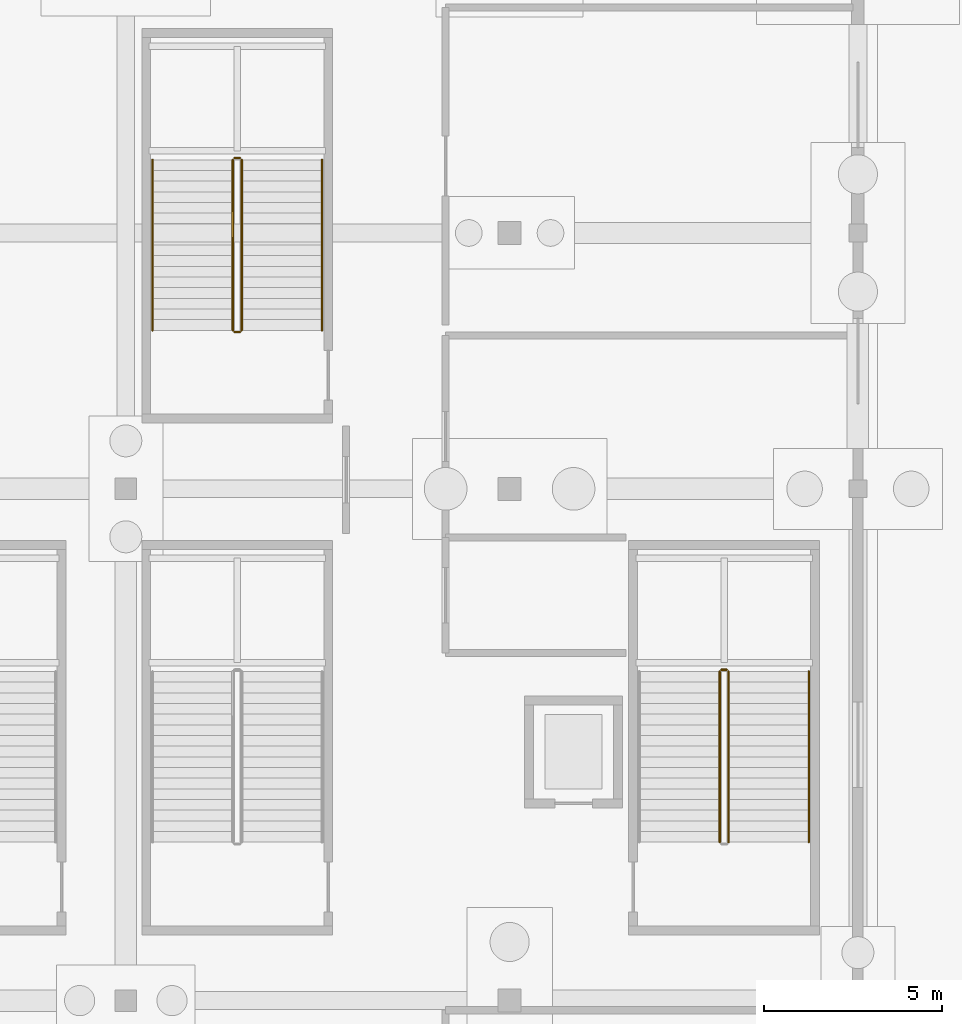
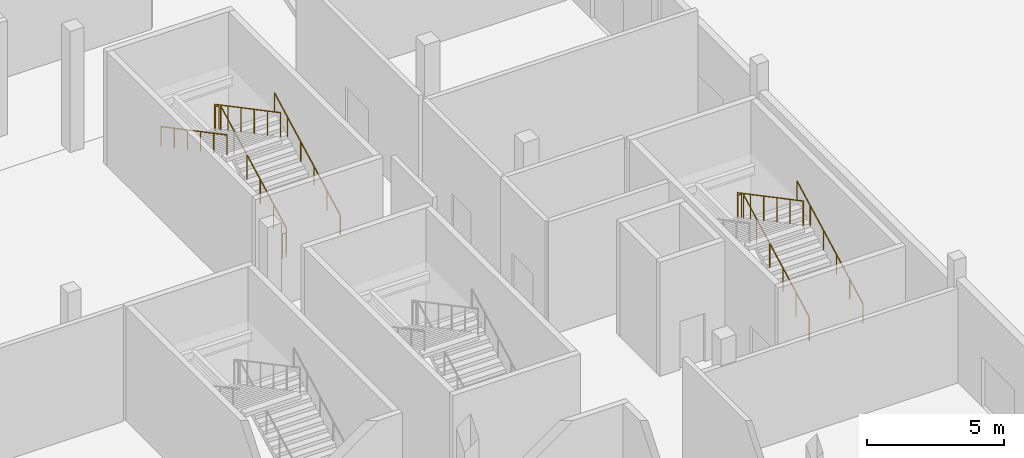
# One storey, part 82 of 89: 10 railings.
"""IFC4 building model written with IfcOpenShell, lengths in metres."""

import ifcopenshell
import ifcopenshell.guid

model = None  # the IFC model being written
_history = None  # IfcOwnerHistory: only IFC2X3 demands one
_inside = {}  # id of a spatial element -> (the spatial element, [elements in it])
_under = {}  # id of a project, library or spatial element -> (it, [spatial elements below it])
_declared = {}  # id of a project -> (the project, [libraries it declares])
_typed = {}  # id of a type object -> (the type object, [elements of that type])
_made_of = {}  # id of a material, layer set ... -> (it, [elements and type objects made of it])


def new_model(schema):
    """Start an empty IFC model of exactly this schema.

    Asked for "IFC4X3", IfcOpenShell would pick the latest addendum, in which some entities
    have other attributes; the version numbers below select the first issue.
    IFC2X3 requires an IfcOwnerHistory on every rooted entity: one is made here for all.
    """
    global model, _history
    if schema == "IFC4X3":
        model = ifcopenshell.file(schema_version=(4, 3, 0, 0))
    else:
        model = ifcopenshell.file(schema=schema)
    _inside.clear()
    _under.clear()
    _declared.clear()
    _typed.clear()
    _made_of.clear()
    _history = None
    if model.schema == "IFC2X3":
        org = make("IfcOrganization", Name="unknown")
        user = make(
            "IfcPersonAndOrganization",
            ThePerson=make("IfcPerson", FamilyName="unknown"),
            TheOrganization=org,
        )
        app = make(
            "IfcApplication",
            ApplicationDeveloper=org,
            Version="unknown",
            ApplicationFullName="unknown",
            ApplicationIdentifier="unknown",
        )
        _history = make(
            "IfcOwnerHistory",
            OwningUser=user,
            OwningApplication=app,
            ChangeAction="ADDED",
            CreationDate=0,
        )
    return model


def make(cls, **values):
    """One entity of the class cls with the attributes given. An attribute that is None is left unset."""
    return model.create_entity(
        cls, **{name: value for name, value in values.items() if value is not None}
    )


def rooted(cls, **values):
    """An entity with a GlobalId (a new one), such as an element, a storey or a relation."""
    return make(cls, GlobalId=ifcopenshell.guid.new(), OwnerHistory=_history, **values)


def si_unit(unit_type, name, prefix=None):
    """IfcSIUnit, for example si_unit("LENGTHUNIT", "METRE", prefix="MILLI")."""
    return make("IfcSIUnit", UnitType=unit_type, Prefix=prefix, Name=name)


def assignment(units):
    """IfcUnitAssignment: the units of a project."""
    return None if units is None else make("IfcUnitAssignment", Units=units)


def point(xyz):
    """IfcCartesianPoint."""
    return None if xyz is None else make("IfcCartesianPoint", Coordinates=xyz)


def direction(xyz):
    """IfcDirection."""
    return None if xyz is None else make("IfcDirection", DirectionRatios=xyz)


def frame(location, z_axis=None, x_axis=None):
    """IfcAxis2Placement3D, a coordinate frame: its origin and axes. An axis left out is left unset."""
    return make(
        "IfcAxis2Placement3D",
        Location=point(location),
        Axis=direction(z_axis),
        RefDirection=direction(x_axis),
    )


def frame_2d(location, x_axis=None):
    """IfcAxis2Placement2D, a coordinate frame in the plane: its origin and x axis."""
    return make(
        "IfcAxis2Placement2D", Location=point(location), RefDirection=direction(x_axis)
    )


def origin():
    """The frame at (0, 0, 0) with its axes left unset."""
    return frame((0.0, 0.0, 0.0))


def origin_2d():
    """The frame at (0, 0) in the plane with its x axis left unset."""
    return frame_2d((0.0, 0.0))


def place(relative_to, where):
    """IfcLocalPlacement: puts the frame where relative to a parent placement (None: the world)."""
    return make(
        "IfcLocalPlacement", PlacementRelTo=relative_to, RelativePlacement=where
    )


def context(
    kind, dimensions, precision=None, world=None, true_north=None, identifier=None
):
    """IfcGeometricRepresentationContext, for example the 3D "Model" context."""
    return make(
        "IfcGeometricRepresentationContext",
        ContextIdentifier=identifier,
        ContextType=kind,
        CoordinateSpaceDimension=dimensions,
        Precision=precision,
        WorldCoordinateSystem=world,
        TrueNorth=true_north,
    )


def subcontext(parent, identifier, kind, view, scale=None):
    """IfcGeometricRepresentationSubContext, for example "Body" below "Model"."""
    return make(
        "IfcGeometricRepresentationSubContext",
        ContextIdentifier=identifier,
        ContextType=kind,
        ParentContext=parent,
        TargetScale=scale,
        TargetView=view,
    )


def project(units=None, contexts=None):
    """IfcProject with its units and contexts."""
    return rooted(
        "IfcProject",
        Name="project",
        RepresentationContexts=contexts,
        UnitsInContext=assignment(units),
    )


def spatial(cls, under=None, at=None, **own):
    """A site, building, storey or space (cls), placed at a placement, below another one or the project."""
    s = rooted(cls, ObjectPlacement=at, **own)
    if under is not None:
        _under.setdefault(under.id(), (under, []))[1].append(s)
    return s


def profile(cls, at=None, kind="AREA", **sizes):
    """A parametric profile (cls). Its sizes go by their IFC names, for example OverallWidth=200.0."""
    return make(cls, ProfileType=kind, Position=at, **sizes)


def circle(**sizes):
    """IfcCircleProfileDef."""
    return profile("IfcCircleProfileDef", **sizes)


def extrude(swept, where, along, depth):
    """IfcExtrudedAreaSolid: the profile swept, set in the frame where, extruded along a direction by depth."""
    return make(
        "IfcExtrudedAreaSolid",
        SweptArea=swept,
        Position=where,
        ExtrudedDirection=direction(along),
        Depth=depth,
    )


def shape(context_of_items, identifier, shape_type, items):
    """IfcShapeRepresentation: the items that make up one representation, for example the "Body"."""
    return make(
        "IfcShapeRepresentation",
        ContextOfItems=context_of_items,
        RepresentationIdentifier=identifier,
        RepresentationType=shape_type,
        Items=items,
    )


def material(Name=None, Category=None):
    """IfcMaterial."""
    return make("IfcMaterial", Name=Name, Category=Category)


def made_of(thing, what):
    """Note that an element or type object is made of a material, layer set ...; save() writes the relation."""
    if what is not None:
        _made_of.setdefault(what.id(), (what, []))[1].append(thing)
    return thing


def type_object(cls, material=None, **own):
    """A type object (cls), such as IfcWallType, which elements share."""
    return made_of(rooted(cls, **own), material)


def element(
    cls,
    number,
    at=None,
    inside=None,
    cuts=None,
    type_object=None,
    material=None,
    context=None,
    identifier="Body",
    shape_type=None,
    held_by="IfcProductDefinitionShape",
    body=None,
    shapes=None,
    **own,
):
    """One element of the class cls, such as IfcWall. Its Tag is "e" and its number.

    at: its placement. inside: the storey or other place that contains it. cuts: it is an
    opening in that element (IfcRelVoidsElement). A single representation is given by context,
    identifier, shape_type and body (its items); several are given by shapes. held_by: the class
    of the entity that holds the representations. save() writes the other relations.
    """
    e = rooted(cls, Tag="e%d" % number, ObjectPlacement=at, **own)
    if body is not None:
        shapes = [shape(context, identifier, shape_type, body)]
    if shapes is not None:
        e.Representation = make(held_by, Representations=shapes)
    if inside is not None:
        _inside.setdefault(inside.id(), (inside, []))[1].append(e)
    if cuts is not None:
        rooted(
            "IfcRelVoidsElement", RelatingBuildingElement=cuts, RelatedOpeningElement=e
        )
    if type_object is not None:
        _typed.setdefault(type_object.id(), (type_object, []))[1].append(e)
    return made_of(e, material)


def aggregate(whole, parts):
    """IfcRelAggregates: a whole, such as a stair, and the parts it consists of."""
    return rooted("IfcRelAggregates", RelatingObject=whole, RelatedObjects=parts)


def save(model, path):
    """Write the relations noted so far, then the file.

    IfcRelAggregates (storeys below a building ...), IfcRelContainedInSpatialStructure (elements
    in a storey), IfcRelDefinesByType, IfcRelAssociatesMaterial and IfcRelDeclares: one each for
    every whole, place, type object, material and project.
    """
    for whole, parts in _under.values():
        aggregate(whole, parts)
    for where, things in _inside.values():
        rooted(
            "IfcRelContainedInSpatialStructure",
            RelatedElements=things,
            RelatingStructure=where,
        )
    for kind, things in _typed.values():
        rooted("IfcRelDefinesByType", RelatedObjects=things, RelatingType=kind)
    for what, things in _made_of.values():
        rooted("IfcRelAssociatesMaterial", RelatedObjects=things, RelatingMaterial=what)
    for by, libraries in _declared.values():
        rooted("IfcRelDeclares", RelatingContext=by, RelatedDefinitions=libraries)
    model.write(path)


model = new_model("IFC4")

# Units and contexts
model_context = context("Model", 3, precision=1e-05, world=origin(), true_north=direction((0.0, 1.0)))
body_context = subcontext(model_context, "Body", "Model", "MODEL_VIEW")
ifc_project = project(units=[si_unit("LENGTHUNIT", "METRE"), si_unit("AREAUNIT", "SQUARE_METRE"), si_unit("VOLUMEUNIT", "CUBIC_METRE"), si_unit("PLANEANGLEUNIT", "RADIAN"), si_unit("MASSUNIT", "GRAM", prefix="KILO")], contexts=[model_context])

# Site, building, storey
site_placement = place(None, origin())
site = spatial("IfcSite", under=ifc_project, at=site_placement, CompositionType="ELEMENT")
building_placement = place(site_placement, origin())
building = spatial("IfcBuilding", under=site, at=building_placement, Name="Koshinbarg Plaza Stadium", CompositionType="ELEMENT")
storey_placement = place(building_placement, origin())
storey = spatial("IfcBuildingStorey", under=building, at=storey_placement, Name="L00", CompositionType="ELEMENT", Elevation=0.0)

# Railings
ifc_material_1 = material(Name="Galvanized painted steel guardrail", Category="steel")
railing_type_1 = type_object("IfcRailingType", Name="RL-GUARD-1100", PredefinedType="GUARDRAIL", material=ifc_material_1)
railing_1_placement = place(storey_placement, frame((214.760009765625, 87.56005859375, 0.158935546875)))
element("IfcRailing", 1, at=railing_1_placement, inside=storey, type_object=railing_type_1, Name="L00 C09 stair guard 1", PredefinedType="GUARDRAIL", context=body_context, shape_type="SweptSolid", body=[
    extrude(circle(Radius=0.02392578125, at=origin_2d()), frame((0.0, 0.0, 1.076171875), z_axis=(0.0, 0.883802130504, 0.467860870469), x_axis=(-1.0, 0.0, 0.0)), (0.0, 0.0, 1.0), 5.43115234375),
    extrude(circle(Radius=0.02099609375, at=origin_2d()), origin(), (0.0, 0.0, 1.0), 1.052001953125),
    extrude(circle(Radius=0.02099609375, at=origin_2d()), frame((0.0, 0.9599609375, 0.50830078125)), (0.0, 0.0, 1.0), 1.052001953125),
    extrude(circle(Radius=0.02099609375, at=origin_2d()), frame((0.0, 1.919921875, 1.016357421875)), (0.0, 0.0, 1.0), 1.052001953125),
    extrude(circle(Radius=0.02099609375, at=origin_2d()), frame((0.0, 2.880126953125, 1.524658203125)), (0.0, 0.0, 1.0), 1.052001953125),
    extrude(circle(Radius=0.02099609375, at=origin_2d()), frame((0.0, 3.840087890625, 2.03271484375)), (0.0, 0.0, 1.0), 1.052001953125),
    extrude(circle(Radius=0.02099609375, at=origin_2d()), frame((0.0, 4.800048828125, 2.541015625)), (0.0, 0.0, 1.0), 1.052001953125),
])
railing_2_placement = place(storey_placement, frame((214.7099609375, 92.409912109375, 2.699951171875)))
element("IfcRailing", 2, at=railing_2_placement, inside=storey, type_object=railing_type_1, Name="L00 C09 stair guard 2", PredefinedType="GUARDRAIL", context=body_context, shape_type="SweptSolid", body=[
    extrude(circle(Radius=0.02392578125, at=origin_2d()), frame((0.0, 0.0, 1.076171875), z_axis=(-1.0, 0.0, 0.0), x_axis=(0.0, -1.0, 0.0)), (0.0, 0.0, 1.0), 0.14990234375),
    extrude(circle(Radius=0.02099609375, at=origin_2d()), origin(), (0.0, 0.0, 1.0), 1.052001953125),
    extrude(circle(Radius=0.02099609375, at=origin_2d()), frame((-0.14990234375, 0.0, 0.0)), (0.0, 0.0, 1.0), 1.052001953125),
])
railing_3_placement = place(storey_placement, frame((214.510009765625, 92.360107421875, 2.85888671875)))
element("IfcRailing", 3, at=railing_3_placement, inside=storey, type_object=railing_type_1, Name="L00 C09 stair guard 3", PredefinedType="GUARDRAIL", context=body_context, shape_type="SweptSolid", body=[
    extrude(circle(Radius=0.02392578125, at=origin_2d()), frame((0.0, 0.0, 1.076171875), z_axis=(0.0, -0.883802130504, 0.467860870469), x_axis=(1.0, 0.0, 0.0)), (0.0, 0.0, 1.0), 5.43115234375),
    extrude(circle(Radius=0.02099609375, at=origin_2d()), origin(), (0.0, 0.0, 1.0), 1.052001953125),
    extrude(circle(Radius=0.02099609375, at=origin_2d()), frame((0.0, -0.9599609375, 0.50830078125)), (0.0, 0.0, 1.0), 1.052001953125),
    extrude(circle(Radius=0.02099609375, at=origin_2d()), frame((0.0, -1.919921875, 1.016357421875)), (0.0, 0.0, 1.0), 1.052001953125),
    extrude(circle(Radius=0.02099609375, at=origin_2d()), frame((0.0, -2.880126953125, 1.524658203125)), (0.0, 0.0, 1.0), 1.052001953125),
    extrude(circle(Radius=0.02099609375, at=origin_2d()), frame((0.0, -3.840087890625, 2.03271484375)), (0.0, 0.0, 1.0), 1.052001953125),
    extrude(circle(Radius=0.02099609375, at=origin_2d()), frame((0.0, -4.800048828125, 2.541015625)), (0.0, 0.0, 1.0), 1.052001953125),
])
railing_4_placement = place(storey_placement, frame((201.06005859375, 101.9599609375, 0.158935546875)))
element("IfcRailing", 4, at=railing_4_placement, inside=storey, type_object=railing_type_1, Name="L00 VX12 stair guard 1", PredefinedType="GUARDRAIL", context=body_context, shape_type="SweptSolid", body=[
    extrude(circle(Radius=0.02392578125, at=origin_2d()), frame((0.0, 0.0, 1.076171875), z_axis=(0.0, 0.883802130504, 0.467860870469), x_axis=(-1.0, 0.0, 0.0)), (0.0, 0.0, 1.0), 5.43115234375),
    extrude(circle(Radius=0.02099609375, at=origin_2d()), origin(), (0.0, 0.0, 1.0), 1.052001953125),
    extrude(circle(Radius=0.02099609375, at=origin_2d()), frame((0.0, 0.9599609375, 0.50830078125)), (0.0, 0.0, 1.0), 1.052001953125),
    extrude(circle(Radius=0.02099609375, at=origin_2d()), frame((0.0, 1.919921875, 1.016357421875)), (0.0, 0.0, 1.0), 1.052001953125),
    extrude(circle(Radius=0.02099609375, at=origin_2d()), frame((0.0, 2.880126953125, 1.524658203125)), (0.0, 0.0, 1.0), 1.052001953125),
    extrude(circle(Radius=0.02099609375, at=origin_2d()), frame((0.0, 3.840087890625, 2.03271484375)), (0.0, 0.0, 1.0), 1.052001953125),
    extrude(circle(Radius=0.02099609375, at=origin_2d()), frame((0.0, 4.800048828125, 2.541015625)), (0.0, 0.0, 1.0), 1.052001953125),
])
railing_5_placement = place(storey_placement, frame((201.010009765625, 106.81005859375, 2.699951171875)))
element("IfcRailing", 5, at=railing_5_placement, inside=storey, type_object=railing_type_1, Name="L00 VX12 stair guard 2", PredefinedType="GUARDRAIL", context=body_context, shape_type="SweptSolid", body=[
    extrude(circle(Radius=0.02392578125, at=origin_2d()), frame((0.0, 0.0, 1.076171875), z_axis=(-1.0, 0.0, 0.0), x_axis=(0.0, -1.0, 0.0)), (0.0, 0.0, 1.0), 0.14990234375),
    extrude(circle(Radius=0.02099609375, at=origin_2d()), origin(), (0.0, 0.0, 1.0), 1.052001953125),
    extrude(circle(Radius=0.02099609375, at=origin_2d()), frame((-0.14990234375, 0.0, 0.0)), (0.0, 0.0, 1.0), 1.052001953125),
])
railing_6_placement = place(storey_placement, frame((200.81005859375, 106.760009765625, 2.85888671875)))
element("IfcRailing", 6, at=railing_6_placement, inside=storey, type_object=railing_type_1, Name="L00 VX12 stair guard 3", PredefinedType="GUARDRAIL", context=body_context, shape_type="SweptSolid", body=[
    extrude(circle(Radius=0.02392578125, at=origin_2d()), frame((0.0, 0.0, 1.076171875), z_axis=(0.0, -0.883802130504, 0.467860870469), x_axis=(1.0, 0.0, 0.0)), (0.0, 0.0, 1.0), 5.43115234375),
    extrude(circle(Radius=0.02099609375, at=origin_2d()), origin(), (0.0, 0.0, 1.0), 1.052001953125),
    extrude(circle(Radius=0.02099609375, at=origin_2d()), frame((0.0, -0.9599609375, 0.50830078125)), (0.0, 0.0, 1.0), 1.052001953125),
    extrude(circle(Radius=0.02099609375, at=origin_2d()), frame((0.0, -1.919921875, 1.016357421875)), (0.0, 0.0, 1.0), 1.052001953125),
    extrude(circle(Radius=0.02099609375, at=origin_2d()), frame((0.0, -2.880126953125, 1.524658203125)), (0.0, 0.0, 1.0), 1.052001953125),
    extrude(circle(Radius=0.02099609375, at=origin_2d()), frame((0.0, -3.840087890625, 2.03271484375)), (0.0, 0.0, 1.0), 1.052001953125),
    extrude(circle(Radius=0.02099609375, at=origin_2d()), frame((0.0, -4.800048828125, 2.541015625)), (0.0, 0.0, 1.0), 1.052001953125),
])
railing_7_placement = place(storey_placement, frame((201.010009765625, 101.909912109375, 0.0)))
element("IfcRailing", 7, at=railing_7_placement, inside=storey, type_object=railing_type_1, Name="L00 VX12 stair guard 4", PredefinedType="GUARDRAIL", context=body_context, shape_type="SweptSolid", body=[
    extrude(circle(Radius=0.02392578125, at=origin_2d()), frame((0.0, 0.0, 1.076171875), z_axis=(-1.0, 0.0, 0.0), x_axis=(0.0, -1.0, 0.0)), (0.0, 0.0, 1.0), 0.14990234375),
    extrude(circle(Radius=0.02099609375, at=origin_2d()), origin(), (0.0, 0.0, 1.0), 1.052001953125),
    extrude(circle(Radius=0.02099609375, at=origin_2d()), frame((-0.14990234375, 0.0, 0.0)), (0.0, 0.0, 1.0), 1.052001953125),
])
ifc_material_2 = material(Name="Brushed stainless steel handrail", Category="steel")
railing_type_2 = type_object("IfcRailingType", Name="RL-HAND-900", PredefinedType="HANDRAIL", material=ifc_material_2)
for number, where, name in (
    (8, (217.02001953125, 87.56005859375, 0.158935546875), "L00 C09 stair handrail 1"),
    (9, (203.320068359375, 101.9599609375, 0.158935546875), "L00 VX12 stair handrail 1"),
):
    element("IfcRailing", number, at=place(storey_placement, frame(where)), inside=storey, type_object=railing_type_2, Name=name, PredefinedType="HANDRAIL", context=body_context, shape_type="SweptSolid", body=[
        extrude(circle(Radius=0.02392578125, at=origin_2d()), frame((0.0, 0.0, 0.8759765625), z_axis=(0.0, 0.883802130504, 0.467860870469), x_axis=(-1.0, 0.0, 0.0)), (0.0, 0.0, 1.0), 5.43115234375),
        extrude(circle(Radius=0.02099609375, at=origin_2d()), origin(), (0.0, 0.0, 1.0), 0.851806640625),
        extrude(circle(Radius=0.02099609375, at=origin_2d()), frame((0.0, 0.9599609375, 0.50830078125)), (0.0, 0.0, 1.0), 0.851806640625),
        extrude(circle(Radius=0.02099609375, at=origin_2d()), frame((0.0, 1.919921875, 1.016357421875)), (0.0, 0.0, 1.0), 0.851806640625),
        extrude(circle(Radius=0.02099609375, at=origin_2d()), frame((0.0, 2.880126953125, 1.524658203125)), (0.0, 0.0, 1.0), 0.851806640625),
        extrude(circle(Radius=0.02099609375, at=origin_2d()), frame((0.0, 3.840087890625, 2.03271484375)), (0.0, 0.0, 1.0), 0.851806640625),
        extrude(circle(Radius=0.02099609375, at=origin_2d()), frame((0.0, 4.800048828125, 2.541015625)), (0.0, 0.0, 1.0), 0.851806640625),
    ])
railing_8_placement = place(storey_placement, frame((198.550048828125, 106.760009765625, 2.85888671875)))
element("IfcRailing", 10, at=railing_8_placement, inside=storey, type_object=railing_type_2, Name="L00 VX12 stair handrail 2", PredefinedType="HANDRAIL", context=body_context, shape_type="SweptSolid", body=[
    extrude(circle(Radius=0.02392578125, at=origin_2d()), frame((0.0, 0.0, 0.8759765625), z_axis=(0.0, -0.883802130504, 0.467860870469), x_axis=(1.0, 0.0, 0.0)), (0.0, 0.0, 1.0), 5.43115234375),
    extrude(circle(Radius=0.02099609375, at=origin_2d()), origin(), (0.0, 0.0, 1.0), 0.851806640625),
    extrude(circle(Radius=0.02099609375, at=origin_2d()), frame((0.0, -0.9599609375, 0.50830078125)), (0.0, 0.0, 1.0), 0.851806640625),
    extrude(circle(Radius=0.02099609375, at=origin_2d()), frame((0.0, -1.919921875, 1.016357421875)), (0.0, 0.0, 1.0), 0.851806640625),
    extrude(circle(Radius=0.02099609375, at=origin_2d()), frame((0.0, -2.880126953125, 1.524658203125)), (0.0, 0.0, 1.0), 0.851806640625),
    extrude(circle(Radius=0.02099609375, at=origin_2d()), frame((0.0, -3.840087890625, 2.03271484375)), (0.0, 0.0, 1.0), 0.851806640625),
    extrude(circle(Radius=0.02099609375, at=origin_2d()), frame((0.0, -4.800048828125, 2.541015625)), (0.0, 0.0, 1.0), 0.851806640625),
])

save(model, "model.ifc")
